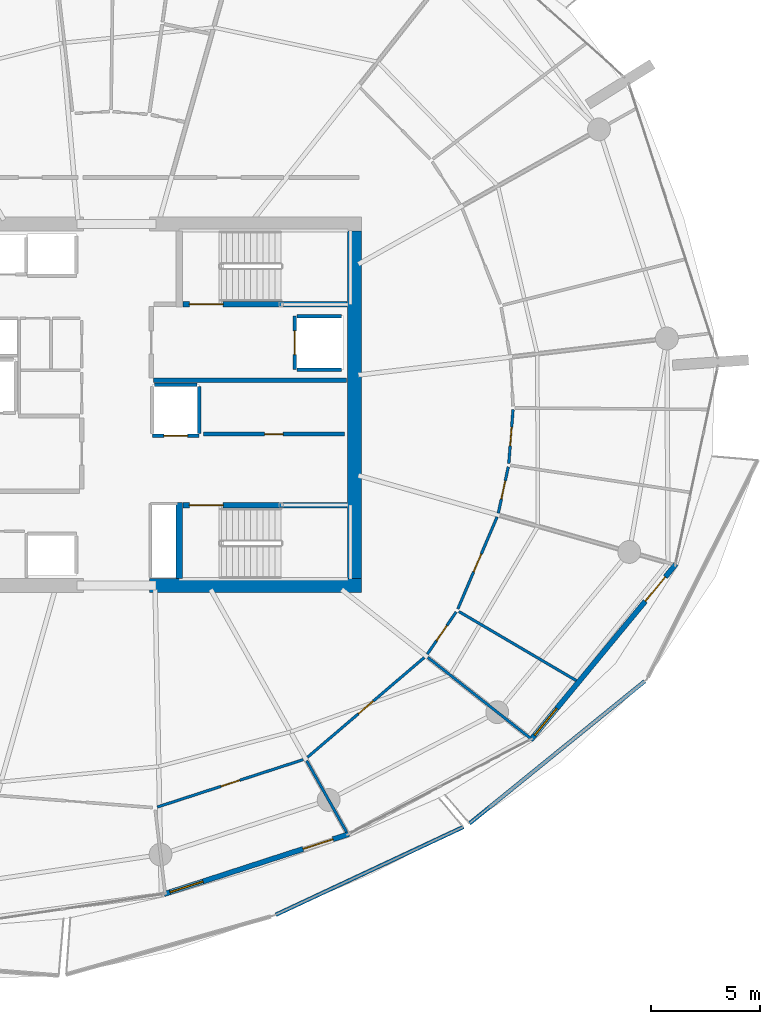
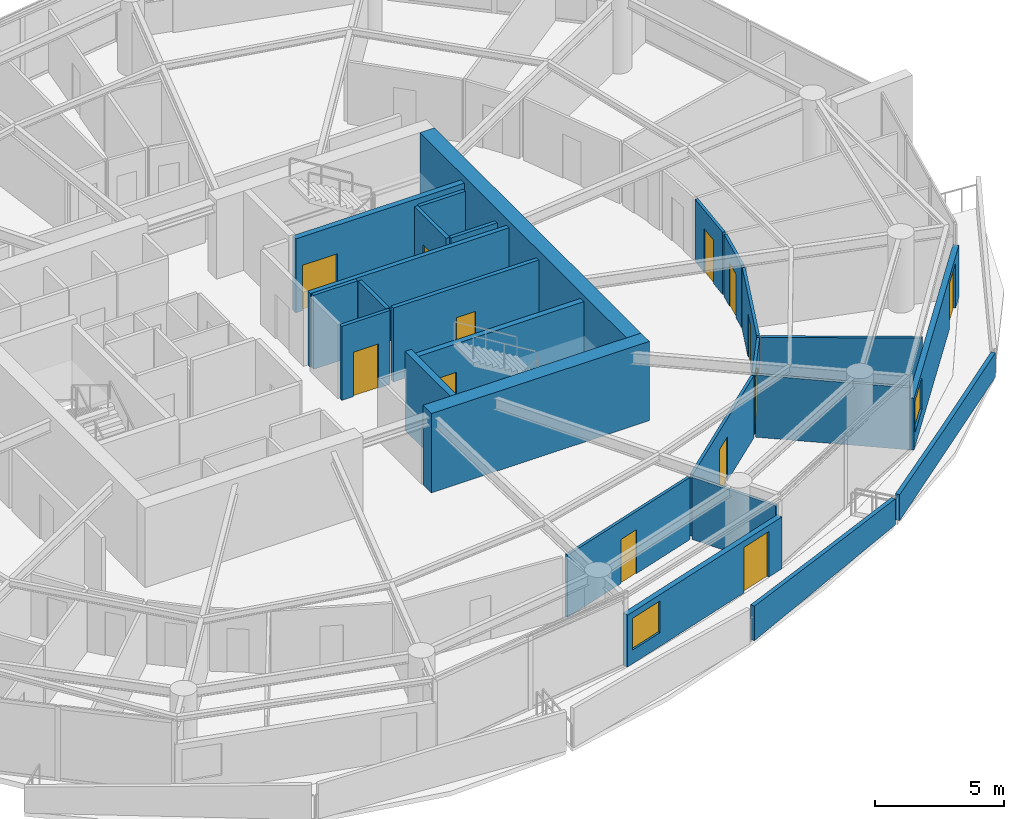
# One storey, part 13 of 20: 26 walls, 13 doors, 2 windows, 15 openings.
"""IFC4 building model written with IfcOpenShell, lengths in metres."""

from ifc_helpers import new_model, si_unit, direction, frame, frame_2d, origin, place, context, subcontext, project, spatial, polyline, rectangle, outline, extrude, material, layer, layer_set, type_object, element, fill, save


model = new_model("IFC4")

# Units and contexts
model_context = context("Model", 3, precision=1e-05, world=origin(), true_north=direction((0.0, 1.0)))
body_context = subcontext(model_context, "Body", "Model", "MODEL_VIEW")
ifc_project = project(units=[si_unit("LENGTHUNIT", "METRE"), si_unit("AREAUNIT", "SQUARE_METRE"), si_unit("VOLUMEUNIT", "CUBIC_METRE"), si_unit("PLANEANGLEUNIT", "RADIAN"), si_unit("MASSUNIT", "GRAM", prefix="KILO")], contexts=[model_context])

# Site, building, storey
site_placement = place(None, origin())
site = spatial("IfcSite", under=ifc_project, at=site_placement, CompositionType="ELEMENT")
building_placement = place(site_placement, origin())
building = spatial("IfcBuilding", under=site, at=building_placement, Name="Kazma Halo Residences", CompositionType="ELEMENT")
storey_placement = place(building_placement, frame((0.0, 0.0, 202.800048828125)))
storey = spatial("IfcBuildingStorey", under=building, at=storey_placement, Name="L51", CompositionType="ELEMENT", Elevation=202.800048828125)

# Walls
ifc_material_1 = material(Name="White Concrete C50/60 Balustrade", Category="concrete")
ifc_layer_1 = layer(ifc_material_1, 0.179931640625)
ifc_layer_set_1 = layer_set([ifc_layer_1], Name="White Concrete C50/60 Balustrade")
wall_type_1 = type_object("IfcWallType", Name="WL-BAL-WAVE-180", PredefinedType="PARAPET", material=ifc_layer_set_1)
wall_1_placement = place(storey_placement, frame((55.751708984375, 18.527587890625, 0.0), z_axis=(0.0, 0.0, 1.0), x_axis=(0.905654672332, 0.42401605451, 0.0)))
element("IfcWall", 1, at=wall_1_placement, inside=storey, type_object=wall_type_1, Name="L51 white wave balustrade wall SSE.2", PredefinedType="PARAPET", context=body_context, shape_type="SweptSolid", body=[
    extrude(outline(polyline([(0.0, 0.0), (9.537353515625, 0.0), (9.537109375, 1.23291015625), (4.7685546875, 1.41796875), (0.0, 1.6318359375), (0.0, 0.0)])), frame((0.0, 0.08984375, 0.0), z_axis=(0.0, -1.0, 0.0), x_axis=(1.0, 0.0, 0.0)), (0.0, 0.0, 1.0), 0.179931640625),
])
wall_2_placement = place(storey_placement, frame((64.663330078125, 22.7294921875, 0.0), z_axis=(0.0, 0.0, 1.0), x_axis=(0.776456761235, 0.630170530834, 0.0)))
element("IfcWall", 2, at=wall_2_placement, inside=storey, type_object=wall_type_1, Name="L51 white wave balustrade wall SE.1", PredefinedType="PARAPET", context=body_context, shape_type="SweptSolid", body=[
    extrude(outline(polyline([(0.0, 0.0), (10.38916015625, 0.0), (10.38916015625, 1.14794921875), (5.194580078125, 1.126953125), (0.0, 1.223876953125), (0.0, 0.0)])), frame((0.0, 0.08984375, 0.0), z_axis=(0.0, -1.0, 0.0), x_axis=(1.0, 0.0, 0.0)), (0.0, 0.0, 1.0), 0.179931640625),
])
ifc_material_2 = material(Name="Concrete C60/75", Category="concrete")
ifc_layer_2 = layer(ifc_material_2, 0.64990234375)
ifc_layer_set_2 = layer_set([ifc_layer_2], Name="Concrete C60/75")
wall_type_2 = type_object("IfcWallType", Name="WL-CORE-650", PredefinedType="SHEAR", material=ifc_layer_set_2)
wall_3_placement = place(storey_placement, frame((49.949951171875, 33.675048828125, 0.0), z_axis=(0.0, 0.0, 1.0), x_axis=(1.0, 0.0, 0.0)))
element("IfcWall", 3, at=wall_3_placement, inside=storey, type_object=wall_type_2, Name="L51 central core shear wall SE", PredefinedType="SHEAR", context=body_context, shape_type="SweptSolid", body=[
    extrude(rectangle(XDim=9.75, YDim=0.64990234375, at=frame_2d((4.875, 0.0))), origin(), (0.0, 0.0, 1.0), 3.75),
])
wall_4_placement = place(storey_placement, frame((59.375, 34.0, 0.0), z_axis=(0.0, 0.0, 1.0), x_axis=(0.0, 1.0, 0.0)))
element("IfcWall", 4, at=wall_4_placement, inside=storey, type_object=wall_type_2, Name="L51 central core shear wall E", PredefinedType="SHEAR", context=body_context, shape_type="SweptSolid", body=[
    extrude(rectangle(XDim=16.0, YDim=0.64990234375, at=frame_2d((8.0, 0.0))), origin(), (0.0, 0.0, 1.0), 3.75),
])
ifc_layer_3 = layer(ifc_material_2, 0.280029296875)
ifc_layer_set_3 = layer_set([ifc_layer_3], Name="Concrete C60/75")
wall_type_3 = type_object("IfcWallType", Name="WL-CORE-ST-280", PredefinedType="SHEAR", material=ifc_layer_set_3)
wall_5_placement = place(storey_placement, frame((51.31005859375, 34.0, 0.0), z_axis=(0.0, 0.0, 1.0), x_axis=(0.0, 1.0, 0.0)))
element("IfcWall", 5, at=wall_5_placement, inside=storey, type_object=wall_type_3, Name="L51 stairwell bearing wall ST03-W", PredefinedType="SHEAR", context=body_context, shape_type="SweptSolid", body=[
    extrude(rectangle(XDim=3.5, YDim=0.280029296875, at=frame_2d((1.75, 0.0))), origin(), (0.0, 0.0, 1.0), 3.75),
])

# Wall, openings, door, window
ifc_material_3 = material(Name="Insulated Pale-Metal Composite Wall")
ifc_layer_4 = layer(ifc_material_3, 0.239990234375)
ifc_layer_set_4 = layer_set([ifc_layer_4], Name="Insulated Pale-Metal Composite Wall")
wall_type_4 = type_object("IfcWallType", Name="WL-EXT-HOST-240", PredefinedType="SOLIDWALL", material=ifc_layer_set_4)
wall_6_placement = place(storey_placement, frame((50.61572265625, 19.481201171875, 0.0), z_axis=(0.0, 0.0, 1.0), x_axis=(0.951058543936, 0.309010753869, 0.0)))
wall_6 = element("IfcWall", 6, at=wall_6_placement, inside=storey, type_object=wall_type_4, Name="L51 exterior terrace-access wall B12", PredefinedType="SOLIDWALL", context=body_context, shape_type="SweptSolid", body=[
    extrude(rectangle(XDim=8.942138671875, YDim=0.239990234375, at=frame_2d((4.47119140625, 0.0))), origin(), (0.0, 0.0, 1.0), 2.449951171875),
])
opening_1_placement = place(wall_6_placement, frame((6.721923828125, 0.0, 0.0)))
opening_1 = element("IfcOpeningElement", 7, at=opening_1_placement, cuts=wall_6, Name="Opening DTR-1600", PredefinedType="OPENING", context=body_context, shape_type="SweptSolid", body=[
    extrude(rectangle(XDim=1.449951171875, YDim=2.14990234375, at=frame_2d((0.72509765625, 1.074951171875))), frame((0.0, 0.1298828125, 0.0), z_axis=(0.0, -1.0, 0.0), x_axis=(1.0, 0.0, 0.0)), (0.0, 0.0, 1.0), 0.260009765625),
])
opening_2_placement = place(wall_6_placement, frame((0.280029296875, 0.0, 0.64990234375)))
opening_2 = element("IfcOpeningElement", 8, at=opening_2_placement, cuts=wall_6, Name="Opening W-1800", PredefinedType="OPENING", context=body_context, shape_type="SweptSolid", body=[
    extrude(rectangle(XDim=1.60009765625, YDim=1.5, at=frame_2d((0.800048828125, 0.75))), frame((0.0, 0.1298828125, 0.0), z_axis=(0.0, -1.0, 0.0), x_axis=(1.0, 0.0, 0.0)), (0.0, 0.0, 1.0), 0.260009765625),
])
ifc_material_4 = material(Name="Aluminium AW-6063 T6 Double-Glazed Terrace Door", Category="aluminium")
door_type_1 = type_object("IfcDoorType", Name="DR-EXT-TERR-1600", OperationType="NOTDEFINED", PredefinedType="DOOR", material=ifc_material_4)
door_1_placement = place(opening_1_placement, origin())
door_1 = element("IfcDoor", 9, at=door_1_placement, inside=storey, type_object=door_type_1, Name="L51 B12 balcony terrace door", OperationType="DOUBLE_DOOR_SLIDING", OverallHeight=2.14990234375, OverallWidth=1.449951171875, PredefinedType="DOOR", context=body_context, shape_type="SweptSolid", body=[
    extrude(rectangle(XDim=1.449951171875, YDim=2.14990234375, at=frame_2d((0.72509765625, 1.074951171875))), frame((0.0, 0.02490234375, 0.0), z_axis=(0.0, -1.0, 0.0), x_axis=(1.0, 0.0, 0.0)), (0.0, 0.0, 1.0), 0.050048828125),
])
fill(opening_1, door_1)
ifc_material_5 = material(Name="Clear Triple-Silver Low-E Glass in Aluminium AW-6063 T6 Frame", Category="aluminium")
window_type = type_object("IfcWindowType", Name="WIN-RES-1800", PartitioningType="DOUBLE_PANEL_VERTICAL", PredefinedType="WINDOW", material=ifc_material_5)
window_1_placement = place(opening_2_placement, origin())
window_1 = element("IfcWindow", 10, at=window_1_placement, inside=storey, type_object=window_type, Name="L51 B12 apartment window", OverallHeight=1.5, OverallWidth=1.60009765625, PartitioningType="SINGLE_PANEL", PredefinedType="WINDOW", context=body_context, shape_type="SweptSolid", body=[
    extrude(rectangle(XDim=1.60009765625, YDim=1.5, at=frame_2d((0.800048828125, 0.75))), frame((0.0, 0.030029296875, 0.0), z_axis=(0.0, -1.0, 0.0), x_axis=(1.0, 0.0, 0.0)), (0.0, 0.0, 1.0), 0.06005859375),
])
fill(opening_2, window_1)

wall_7_placement = place(storey_placement, frame((67.485107421875, 26.57568359375, 0.0), z_axis=(0.0, 0.0, 1.0), x_axis=(0.636759394418, 0.771062561418, 0.0)))
wall_7 = element("IfcWall", 11, at=wall_7_placement, inside=storey, type_object=wall_type_4, Name="L51 exterior terrace-access wall B14", PredefinedType="SOLIDWALL", context=body_context, shape_type="SweptSolid", body=[
    extrude(rectangle(XDim=10.494384765625, YDim=0.239990234375, at=frame_2d((5.2470703125, 0.0))), origin(), (0.0, 0.0, 1.0), 2.449951171875),
])
opening_3_placement = place(wall_7_placement, frame((8.2744140625, 0.0, 0.0)))
opening_3 = element("IfcOpeningElement", 12, at=opening_3_placement, cuts=wall_7, Name="Opening DTR-1600", PredefinedType="OPENING", context=body_context, shape_type="SweptSolid", body=[
    extrude(rectangle(XDim=1.449951171875, YDim=2.14990234375, at=frame_2d((0.72509765625, 1.074951171875))), frame((0.0, 0.1298828125, 0.0), z_axis=(0.0, -1.0, 0.0), x_axis=(1.0, 0.0, 0.0)), (0.0, 0.0, 1.0), 0.260009765625),
])
opening_4_placement = place(wall_7_placement, frame((0.280029296875, 0.0, 0.64990234375)))
opening_4 = element("IfcOpeningElement", 13, at=opening_4_placement, cuts=wall_7, Name="Opening W-1800", PredefinedType="OPENING", context=body_context, shape_type="SweptSolid", body=[
    extrude(rectangle(XDim=1.60009765625, YDim=1.5, at=frame_2d((0.800048828125, 0.75))), frame((0.0, 0.1298828125, 0.0), z_axis=(0.0, -1.0, 0.0), x_axis=(1.0, 0.0, 0.0)), (0.0, 0.0, 1.0), 0.260009765625),
])
door_2_placement = place(opening_3_placement, origin())
door_2 = element("IfcDoor", 14, at=door_2_placement, inside=storey, type_object=door_type_1, Name="L51 B14 balcony terrace door", OperationType="DOUBLE_DOOR_SLIDING", OverallHeight=2.14990234375, OverallWidth=1.449951171875, PredefinedType="DOOR", context=body_context, shape_type="SweptSolid", body=[
    extrude(rectangle(XDim=1.449951171875, YDim=2.14990234375, at=frame_2d((0.72509765625, 1.074951171875))), frame((0.0, 0.02490234375, 0.0), z_axis=(0.0, -1.0, 0.0), x_axis=(1.0, 0.0, 0.0)), (0.0, 0.0, 1.0), 0.050048828125),
])
fill(opening_3, door_2)
window_2_placement = place(opening_4_placement, origin())
window_2 = element("IfcWindow", 15, at=window_2_placement, inside=storey, type_object=window_type, Name="L51 B14 apartment window", OverallHeight=1.5, OverallWidth=1.60009765625, PartitioningType="SINGLE_PANEL", PredefinedType="WINDOW", context=body_context, shape_type="SweptSolid", body=[
    extrude(rectangle(XDim=1.60009765625, YDim=1.5, at=frame_2d((0.800048828125, 0.75))), frame((0.0, 0.030029296875, 0.0), z_axis=(0.0, -1.0, 0.0), x_axis=(1.0, 0.0, 0.0)), (0.0, 0.0, 1.0), 0.06005859375),
])
fill(opening_4, window_2)

# Wall, opening, door
ifc_material_6 = material(Name="Fire-Rated Blockwork Masonry", Category="masonry")
ifc_layer_5 = layer(ifc_material_6, 0.199951171875)
ifc_layer_set_5 = layer_set([ifc_layer_5], Name="Fire-Rated Blockwork Masonry")
wall_type_5 = type_object("IfcWallType", Name="WL-FLB-200", PredefinedType="PARTITIONING", material=ifc_layer_set_5)
wall_8_placement = place(storey_placement, frame((56.6201171875, 46.080078125, 0.0), z_axis=(0.0, 0.0, 1.0), x_axis=(0.0, -1.0, 0.0)))
wall_8 = element("IfcWall", 16, at=wall_8_placement, inside=storey, type_object=wall_type_5, Name="L51 lift shaft FL-02 front wall", PredefinedType="PARTITIONING", context=body_context, shape_type="SweptSolid", body=[
    extrude(rectangle(XDim=2.4599609375, YDim=0.159912109375, at=frame_2d((1.22998046875, 0.0))), origin(), (0.0, 0.0, 1.0), 3.5),
])
opening_5_placement = place(wall_8_placement, frame((0.679931640625, 0.0, 0.0)))
opening_5 = element("IfcOpeningElement", 17, at=opening_5_placement, cuts=wall_8, Name="Opening LD-FL-02", PredefinedType="OPENING", context=body_context, shape_type="SweptSolid", body=[
    extrude(rectangle(XDim=1.10009765625, YDim=2.10009765625, at=frame_2d((0.550048828125, 1.050048828125))), frame((0.0, 0.08984375, 0.0), z_axis=(0.0, -1.0, 0.0), x_axis=(1.0, 0.0, 0.0)), (0.0, 0.0, 1.0), 0.179931640625),
])
ifc_material_7 = material(Name="Stainless Steel Fire-Rated", Category="steel")
door_type_2 = type_object("IfcDoorType", Name="DR-LIFT-SLD-1100", OperationType="DOUBLE_DOOR_SLIDING", PredefinedType="DOOR", material=ifc_material_7)
door_3_placement = place(opening_5_placement, origin())
door_3 = element("IfcDoor", 18, at=door_3_placement, inside=storey, type_object=door_type_2, Name="L51 lift FL-02 sliding landing door", OperationType="DOUBLE_DOOR_SLIDING", OverallHeight=2.10009765625, OverallWidth=1.10009765625, PredefinedType="DOOR", context=body_context, shape_type="SweptSolid", body=[
    extrude(rectangle(XDim=1.10009765625, YDim=2.10009765625, at=frame_2d((0.550048828125, 1.050048828125))), frame((0.0, 0.02490234375, 0.0), z_axis=(0.0, -1.0, 0.0), x_axis=(1.0, 0.0, 0.0)), (0.0, 0.0, 1.0), 0.050048828125),
])
fill(opening_5, door_3)

# Walls
for number, where, z_axis, x_axis, name in (
    (19, (56.719970703125, 46.080078125, 0.0), (0.0, 0.0, 1.0), (1.0, 0.0, 0.0), "L51 lift shaft FL-02 side wall N"),
    (20, (56.719970703125, 43.6201171875, 0.0), (0.0, 0.0, 1.0), (1.0, 0.0, 0.0), "L51 lift shaft FL-02 side wall S"),
):
    element("IfcWall", number, at=place(storey_placement, frame(where, z_axis=z_axis, x_axis=x_axis)), inside=storey, type_object=wall_type_5, Name=name, PredefinedType="PARTITIONING", context=body_context, shape_type="SweptSolid", body=[
        extrude(rectangle(XDim=2.06005859375, YDim=0.159912109375, at=frame_2d((1.030029296875, 0.0))), origin(), (0.0, 0.0, 1.0), 3.5),
    ])

# Wall, opening, door
wall_9_placement = place(storey_placement, frame((52.22998046875, 40.570068359375, 0.0), z_axis=(0.0, 0.0, 1.0), x_axis=(-1.0, 0.0, 0.0)))
wall_9 = element("IfcWall", 21, at=wall_9_placement, inside=storey, type_object=wall_type_5, Name="L51 lift shaft SV-01 front wall", PredefinedType="PARTITIONING", context=body_context, shape_type="SweptSolid", body=[
    extrude(rectangle(XDim=2.159912109375, YDim=0.159912109375, at=frame_2d((1.080078125, 0.0))), origin(), (0.0, 0.0, 1.0), 3.5),
])
opening_6_placement = place(wall_9_placement, frame((0.530029296875, 0.0, 0.0)))
opening_6 = element("IfcOpeningElement", 22, at=opening_6_placement, cuts=wall_9, Name="Opening LD-SV-01", PredefinedType="OPENING", context=body_context, shape_type="SweptSolid", body=[
    extrude(rectangle(XDim=1.10009765625, YDim=2.10009765625, at=frame_2d((0.550048828125, 1.050048828125))), frame((0.0, 0.08984375, 0.0), z_axis=(0.0, -1.0, 0.0), x_axis=(1.0, 0.0, 0.0)), (0.0, 0.0, 1.0), 0.179931640625),
])
door_4_placement = place(opening_6_placement, origin())
door_4 = element("IfcDoor", 23, at=door_4_placement, inside=storey, type_object=door_type_2, Name="L51 lift SV-01 sliding landing door", OperationType="DOUBLE_DOOR_SLIDING", OverallHeight=2.10009765625, OverallWidth=1.10009765625, PredefinedType="DOOR", context=body_context, shape_type="SweptSolid", body=[
    extrude(rectangle(XDim=1.10009765625, YDim=2.10009765625, at=frame_2d((0.550048828125, 1.050048828125))), frame((0.0, 0.02490234375, 0.0), z_axis=(0.0, -1.0, 0.0), x_axis=(1.0, 0.0, 0.0)), (0.0, 0.0, 1.0), 0.050048828125),
])
fill(opening_6, door_4)

# Walls
wall_10_placement = place(storey_placement, frame((52.22998046875, 40.669921875, 0.0), z_axis=(0.0, 0.0, 1.0), x_axis=(0.0, 1.0, 0.0)))
element("IfcWall", 24, at=wall_10_placement, inside=storey, type_object=wall_type_5, Name="L51 lift shaft SV-01 side wall E", PredefinedType="PARTITIONING", context=body_context, shape_type="SweptSolid", body=[
    extrude(rectangle(XDim=2.16015625, YDim=0.159912109375, at=frame_2d((1.080078125, 0.0))), origin(), (0.0, 0.0, 1.0), 3.5),
])
wall_11_placement = place(storey_placement, frame((50.169921875, 42.929931640625, 0.0), z_axis=(0.0, 0.0, 1.0), x_axis=(1.0, 0.0, 0.0)))
element("IfcWall", 25, at=wall_11_placement, inside=storey, type_object=wall_type_5, Name="L51 lift shaft SV-01 side wall N", PredefinedType="PARTITIONING", context=body_context, shape_type="SweptSolid", body=[
    extrude(rectangle(XDim=1.9599609375, YDim=0.159912109375, at=frame_2d((0.97998046875, 0.0))), origin(), (0.0, 0.0, 1.0), 3.5),
])

# Wall, opening, door
wall_12_placement = place(storey_placement, frame((52.419921875, 40.64990234375, 0.0), z_axis=(0.0, 0.0, 1.0), x_axis=(1.0, 0.0, 0.0)))
wall_12 = element("IfcWall", 26, at=wall_12_placement, inside=storey, type_object=wall_type_5, Name="L51 core east reserve wall", PredefinedType="PARTITIONING", context=body_context, shape_type="SweptSolid", body=[
    extrude(rectangle(XDim=6.5, YDim=0.179931640625, at=frame_2d((3.25, 0.0))), origin(), (0.0, 0.0, 1.0), 3.5),
])
opening_7_placement = place(wall_12_placement, frame((2.824951171875, 0.0, 0.0)))
opening_7 = element("IfcOpeningElement", 27, at=opening_7_placement, cuts=wall_12, Name="Opening DS-850", PredefinedType="OPENING", context=body_context, shape_type="SweptSolid", body=[
    extrude(rectangle(XDim=0.85009765625, YDim=2.06005859375, at=frame_2d((0.425048828125, 1.030029296875))), frame((0.0, 0.099853515625, 0.0), z_axis=(0.0, -1.0, 0.0), x_axis=(1.0, 0.0, 0.0)), (0.0, 0.0, 1.0), 0.199951171875),
])
ifc_material_8 = material(Name="Painted Steel Access Leaf", Category="steel")
door_type_3 = type_object("IfcDoorType", Name="DR-SVC-850", OperationType="NOTDEFINED", PredefinedType="DOOR", material=ifc_material_8)
door_5_placement = place(opening_7_placement, origin())
door_5 = element("IfcDoor", 28, at=door_5_placement, inside=storey, type_object=door_type_3, Name="L51 core east reserve door", OperationType="SINGLE_SWING_RIGHT", OverallHeight=2.06005859375, OverallWidth=0.85009765625, PredefinedType="DOOR", context=body_context, shape_type="SweptSolid", body=[
    extrude(rectangle(XDim=0.85009765625, YDim=2.06005859375, at=frame_2d((0.425048828125, 1.030029296875))), frame((0.0, 0.02490234375, 0.0), z_axis=(0.0, -1.0, 0.0), x_axis=(1.0, 0.0, 0.0)), (0.0, 0.0, 1.0), 0.050048828125),
])
fill(opening_7, door_5)

# Wall
wall_13_placement = place(storey_placement, frame((50.1201171875, 43.1201171875, 0.0), z_axis=(0.0, 0.0, 1.0), x_axis=(1.0, 0.0, 0.0)))
element("IfcWall", 29, at=wall_13_placement, inside=storey, type_object=wall_type_5, Name="L51 east firefighting lobby south smoke wall", PredefinedType="PARTITIONING", context=body_context, shape_type="SweptSolid", body=[
    extrude(rectangle(XDim=8.8798828125, YDim=0.199951171875, at=frame_2d((4.43994140625, 0.0))), origin(), (0.0, 0.0, 1.0), 3.5),
])

# Wall, opening, door
ifc_material_9 = material(Name="Gypsum Plasterboard Partition")
ifc_layer_6 = layer(ifc_material_9, 0.125)
ifc_layer_set_6 = layer_set([ifc_layer_6], Name="Gypsum Plasterboard Partition")
wall_type_6 = type_object("IfcWallType", Name="WL-PART-125", PredefinedType="PARTITIONING", material=ifc_layer_set_6)
wall_14_placement = place(storey_placement, frame((50.2998046875, 23.486572265625, 0.0), z_axis=(0.0, 0.0, 1.0), x_axis=(0.9510635117, 0.308995463902, 0.0)))
wall_14 = element("IfcWall", 30, at=wall_14_placement, inside=storey, type_object=wall_type_6, Name="L51 Apartment 4 West Master Bedroom gallery wall", PredefinedType="PARTITIONING", context=body_context, shape_type="SweptSolid", body=[
    extrude(rectangle(XDim=7.067626953125, YDim=0.125, at=frame_2d((3.53369140625, 0.0))), origin(), (0.0, 0.0, 1.0), 2.93994140625),
])
opening_8_placement = place(wall_14_placement, frame((3.083740234375, 0.0, 0.0)))
opening_8 = element("IfcOpeningElement", 31, at=opening_8_placement, cuts=wall_14, Name="Opening DI-950", PredefinedType="OPENING", context=body_context, shape_type="SweptSolid", body=[
    extrude(rectangle(XDim=0.89990234375, YDim=2.080078125, at=frame_2d((0.449951171875, 1.0400390625))), frame((0.0, 0.072509765625, 0.0), z_axis=(0.0, -1.0, 0.0), x_axis=(1.0, 0.0, 0.0)), (0.0, 0.0, 1.0), 0.14501953125),
])
ifc_material_10 = material(Name="Timber Veneer Flush Leaf", Category="wood")
door_type_4 = type_object("IfcDoorType", Name="DR-INT-950", OperationType="NOTDEFINED", PredefinedType="DOOR", material=ifc_material_10)
door_6_placement = place(opening_8_placement, origin())
door_6 = element("IfcDoor", 32, at=door_6_placement, inside=storey, type_object=door_type_4, Name="L51 Apartment 4 West Master Bedroom door", OperationType="SINGLE_SWING_LEFT", OverallHeight=2.080078125, OverallWidth=0.89990234375, PredefinedType="DOOR", context=body_context, shape_type="SweptSolid", body=[
    extrude(rectangle(XDim=0.89990234375, YDim=2.080078125, at=frame_2d((0.449951171875, 1.0400390625))), frame((0.0, 0.02490234375, 0.0), z_axis=(0.0, -1.0, 0.0), x_axis=(1.0, 0.0, 0.0)), (0.0, 0.0, 1.0), 0.050048828125),
])
fill(opening_8, door_6)

# Wall
wall_15_placement = place(storey_placement, frame((57.1748046875, 25.6171875, 0.0), z_axis=(0.0, 0.0, 1.0), x_axis=(0.488607324901, -0.872503800595, 0.0)))
element("IfcWall", 33, at=wall_15_placement, inside=storey, type_object=wall_type_6, Name="L51 Apartment 4 radial partition 12", PredefinedType="PARTITIONING", context=body_context, shape_type="SweptSolid", body=[
    extrude(rectangle(XDim=3.758544921875, YDim=0.125, at=frame_2d((1.87939453125, 0.0))), origin(), (0.0, 0.0, 1.0), 2.93994140625),
])

# Wall, opening, door
wall_16_placement = place(storey_placement, frame((57.209716796875, 25.77587890625, 0.0), z_axis=(0.0, 0.0, 1.0), x_axis=(0.760406375863, 0.649447567973, 0.0)))
wall_16 = element("IfcWall", 34, at=wall_16_placement, inside=storey, type_object=wall_type_6, Name="L51 Apartment 4 North Formal Dining Room gallery wall", PredefinedType="PARTITIONING", context=body_context, shape_type="SweptSolid", body=[
    extrude(rectangle(XDim=7.0673828125, YDim=0.125, at=frame_2d((3.53369140625, 0.0))), origin(), (0.0, 0.0, 1.0), 2.93994140625),
])
opening_9_placement = place(wall_16_placement, frame((3.083740234375, 0.0, 0.0)))
opening_9 = element("IfcOpeningElement", 35, at=opening_9_placement, cuts=wall_16, Name="Opening DI-950", PredefinedType="OPENING", context=body_context, shape_type="SweptSolid", body=[
    extrude(rectangle(XDim=0.89990234375, YDim=2.080078125, at=frame_2d((0.449951171875, 1.0400390625))), frame((0.0, 0.072509765625, 0.0), z_axis=(0.0, -1.0, 0.0), x_axis=(1.0, 0.0, 0.0)), (0.0, 0.0, 1.0), 0.14501953125),
])
door_7_placement = place(opening_9_placement, origin())
door_7 = element("IfcDoor", 36, at=door_7_placement, inside=storey, type_object=door_type_4, Name="L51 Apartment 4 North Formal Dining Room door", OperationType="SINGLE_SWING_RIGHT", OverallHeight=2.080078125, OverallWidth=0.89990234375, PredefinedType="DOOR", context=body_context, shape_type="SweptSolid", body=[
    extrude(rectangle(XDim=0.89990234375, YDim=2.080078125, at=frame_2d((0.449951171875, 1.0400390625))), frame((0.0, 0.02490234375, 0.0), z_axis=(0.0, -1.0, 0.0), x_axis=(1.0, 0.0, 0.0)), (0.0, 0.0, 1.0), 0.050048828125),
])
fill(opening_9, door_7)

# Walls
wall_17_placement = place(storey_placement, frame((62.745849609375, 30.375244140625, 0.0), z_axis=(0.0, 0.0, 1.0), x_axis=(0.785328774221, -0.619078925809, 0.0)))
element("IfcWall", 37, at=wall_17_placement, inside=storey, type_object=wall_type_6, Name="L51 Apartment 4 radial partition 13", PredefinedType="PARTITIONING", context=body_context, shape_type="SweptSolid", body=[
    extrude(rectangle(XDim=6.05029296875, YDim=0.125, at=frame_2d((3.025146484375, 0.0))), origin(), (0.0, 0.0, 1.0), 2.93994140625),
])
wall_18_placement = place(storey_placement, frame((64.176025390625, 32.48486328125, 0.0), z_axis=(0.0, 0.0, 1.0), x_axis=(0.861934215158, -0.507020126563, 0.0)))
element("IfcWall", 38, at=wall_18_placement, inside=storey, type_object=wall_type_6, Name="L51 Apartment 4 mid-bay wall 13", PredefinedType="PARTITIONING", context=body_context, shape_type="SweptSolid", body=[
    extrude(rectangle(XDim=6.269287109375, YDim=0.125, at=frame_2d((3.134765625, 0.0))), origin(), (0.0, 0.0, 1.0), 2.93994140625),
])

# Wall, opening, door
wall_19_placement = place(storey_placement, frame((62.723876953125, 30.519775390625, 0.0), z_axis=(0.0, 0.0, 1.0), x_axis=(0.564301181705, 0.825569001554, 0.0)))
wall_19 = element("IfcWall", 39, at=wall_19_placement, inside=storey, type_object=wall_type_6, Name="L51 Apartment 4 South Dressing Wardrobe hall wall", PredefinedType="PARTITIONING", context=body_context, shape_type="SweptSolid", body=[
    extrude(rectangle(XDim=2.355712890625, YDim=0.125, at=frame_2d((1.177734375, 0.0))), origin(), (0.0, 0.0, 1.0), 2.93994140625),
])
opening_10_placement = place(wall_19_placement, frame((0.7529296875, 0.0, 0.0)))
opening_10 = element("IfcOpeningElement", 40, at=opening_10_placement, cuts=wall_19, Name="Opening DB-900", PredefinedType="OPENING", context=body_context, shape_type="SweptSolid", body=[
    extrude(rectangle(XDim=0.85009765625, YDim=2.06005859375, at=frame_2d((0.425048828125, 1.030029296875))), frame((0.0, 0.072509765625, 0.0), z_axis=(0.0, -1.0, 0.0), x_axis=(1.0, 0.0, 0.0)), (0.0, 0.0, 1.0), 0.14501953125),
])
ifc_material_11 = material(Name="Moisture-Sealed Timber Leaf", Category="wood")
door_type_5 = type_object("IfcDoorType", Name="DR-BTH-900", OperationType="NOTDEFINED", PredefinedType="DOOR", material=ifc_material_11)
door_8_placement = place(opening_10_placement, origin())
door_8 = element("IfcDoor", 41, at=door_8_placement, inside=storey, type_object=door_type_5, Name="L51 Apartment 4 South Dressing Wardrobe door", OperationType="SINGLE_SWING_LEFT", OverallHeight=2.06005859375, OverallWidth=0.85009765625, PredefinedType="DOOR", context=body_context, shape_type="SweptSolid", body=[
    extrude(rectangle(XDim=0.85009765625, YDim=2.06005859375, at=frame_2d((0.425048828125, 1.030029296875))), frame((0.0, 0.02490234375, 0.0), z_axis=(0.0, -1.0, 0.0), x_axis=(1.0, 0.0, 0.0)), (0.0, 0.0, 1.0), 0.050048828125),
])
fill(opening_10, door_8)

wall_20_placement = place(storey_placement, frame((64.1298828125, 32.60400390625, 0.0), z_axis=(0.0, 0.0, 1.0), x_axis=(0.392433899516, 0.919780209893, 0.0)))
wall_20 = element("IfcWall", 42, at=wall_20_placement, inside=storey, type_object=wall_type_6, Name="L51 Apartment 4 Inner Master Bedroom hall wall", PredefinedType="PARTITIONING", context=body_context, shape_type="SweptSolid", body=[
    extrude(rectangle(XDim=4.603759765625, YDim=0.125, at=frame_2d((2.3017578125, 0.0))), origin(), (0.0, 0.0, 1.0), 2.93994140625),
])
opening_11_placement = place(wall_20_placement, frame((1.851806640625, 0.0, 0.0)))
opening_11 = element("IfcOpeningElement", 43, at=opening_11_placement, cuts=wall_20, Name="Opening DI-950", PredefinedType="OPENING", context=body_context, shape_type="SweptSolid", body=[
    extrude(rectangle(XDim=0.89990234375, YDim=2.080078125, at=frame_2d((0.449951171875, 1.0400390625))), frame((0.0, 0.072509765625, 0.0), z_axis=(0.0, -1.0, 0.0), x_axis=(1.0, 0.0, 0.0)), (0.0, 0.0, 1.0), 0.14501953125),
])
door_9_placement = place(opening_11_placement, origin())
door_9 = element("IfcDoor", 44, at=door_9_placement, inside=storey, type_object=door_type_4, Name="L51 Apartment 4 Inner Master Bedroom door", OperationType="SINGLE_SWING_RIGHT", OverallHeight=2.080078125, OverallWidth=0.89990234375, PredefinedType="DOOR", context=body_context, shape_type="SweptSolid", body=[
    extrude(rectangle(XDim=0.89990234375, YDim=2.080078125, at=frame_2d((0.449951171875, 1.0400390625))), frame((0.0, 0.02490234375, 0.0), z_axis=(0.0, -1.0, 0.0), x_axis=(1.0, 0.0, 0.0)), (0.0, 0.0, 1.0), 0.050048828125),
])
fill(opening_11, door_9)

wall_21_placement = place(storey_placement, frame((65.99267578125, 37.008544921875, 0.0), z_axis=(0.0, 0.0, 1.0), x_axis=(0.210467381842, 0.977600880309, 0.0)))
wall_21 = element("IfcWall", 45, at=wall_21_placement, inside=storey, type_object=wall_type_6, Name="L51 Apartment 4 Outer Bedroom hall wall", PredefinedType="PARTITIONING", context=body_context, shape_type="SweptSolid", body=[
    extrude(rectangle(XDim=2.185546875, YDim=0.125, at=frame_2d((1.0927734375, 0.0))), origin(), (0.0, 0.0, 1.0), 2.93994140625),
])
opening_12_placement = place(wall_21_placement, frame((0.667724609375, 0.0, 0.0)))
opening_12 = element("IfcOpeningElement", 46, at=opening_12_placement, cuts=wall_21, Name="Opening DB-900", PredefinedType="OPENING", context=body_context, shape_type="SweptSolid", body=[
    extrude(rectangle(XDim=0.85009765625, YDim=2.06005859375, at=frame_2d((0.425048828125, 1.030029296875))), frame((0.0, 0.072509765625, 0.0), z_axis=(0.0, -1.0, 0.0), x_axis=(1.0, 0.0, 0.0)), (0.0, 0.0, 1.0), 0.14501953125),
])
door_10_placement = place(opening_12_placement, origin())
door_10 = element("IfcDoor", 47, at=door_10_placement, inside=storey, type_object=door_type_5, Name="L51 Apartment 4 Outer Bedroom door", OperationType="SINGLE_SWING_LEFT", OverallHeight=2.06005859375, OverallWidth=0.85009765625, PredefinedType="DOOR", context=body_context, shape_type="SweptSolid", body=[
    extrude(rectangle(XDim=0.85009765625, YDim=2.06005859375, at=frame_2d((0.425048828125, 1.030029296875))), frame((0.0, 0.02490234375, 0.0), z_axis=(0.0, -1.0, 0.0), x_axis=(1.0, 0.0, 0.0)), (0.0, 0.0, 1.0), 0.050048828125),
])
fill(opening_12, door_10)

wall_22_placement = place(storey_placement, frame((66.4755859375, 39.302978515625, 0.0), z_axis=(0.0, 0.0, 1.0), x_axis=(0.078519549514, 0.996912574073, 0.0)))
wall_22 = element("IfcWall", 48, at=wall_22_placement, inside=storey, type_object=wall_type_6, Name="L51 Apartment 4 Corner Dressing Wardrobe hall wall", PredefinedType="PARTITIONING", context=body_context, shape_type="SweptSolid", body=[
    extrude(rectangle(XDim=2.47802734375, YDim=0.125, at=frame_2d((1.239013671875, 0.0))), origin(), (0.0, 0.0, 1.0), 2.93994140625),
])
opening_13_placement = place(wall_22_placement, frame((0.814208984375, 0.0, 0.0)))
opening_13 = element("IfcOpeningElement", 49, at=opening_13_placement, cuts=wall_22, Name="Opening DB-900", PredefinedType="OPENING", context=body_context, shape_type="SweptSolid", body=[
    extrude(rectangle(XDim=0.85009765625, YDim=2.06005859375, at=frame_2d((0.425048828125, 1.030029296875))), frame((0.0, 0.072509765625, 0.0), z_axis=(0.0, -1.0, 0.0), x_axis=(1.0, 0.0, 0.0)), (0.0, 0.0, 1.0), 0.14501953125),
])
door_11_placement = place(opening_13_placement, origin())
door_11 = element("IfcDoor", 50, at=door_11_placement, inside=storey, type_object=door_type_5, Name="L51 Apartment 4 Corner Dressing Wardrobe door", OperationType="SINGLE_SWING_RIGHT", OverallHeight=2.06005859375, OverallWidth=0.85009765625, PredefinedType="DOOR", context=body_context, shape_type="SweptSolid", body=[
    extrude(rectangle(XDim=0.85009765625, YDim=2.06005859375, at=frame_2d((0.425048828125, 1.030029296875))), frame((0.0, 0.02490234375, 0.0), z_axis=(0.0, -1.0, 0.0), x_axis=(1.0, 0.0, 0.0)), (0.0, 0.0, 1.0), 0.050048828125),
])
fill(opening_13, door_11)

ifc_material_12 = material(Name="Concrete C50/60", Category="concrete")
ifc_layer_7 = layer(ifc_material_12, 0.25)
ifc_layer_set_7 = layer_set([ifc_layer_7], Name="Concrete C50/60")
wall_type_7 = type_object("IfcWallType", Name="WL-SHF-250", PredefinedType="SOLIDWALL", material=ifc_layer_set_7)
wall_23_placement = place(storey_placement, frame((51.47998046875, 46.6201171875, 0.0), z_axis=(0.0, 0.0, 1.0), x_axis=(1.0, 0.0, 0.0)))
wall_23 = element("IfcWall", 51, at=wall_23_placement, inside=storey, type_object=wall_type_7, Name="L51 exit stair ST-02 enclosure wall", PredefinedType="SOLIDWALL", context=body_context, shape_type="SweptSolid", body=[
    extrude(rectangle(XDim=7.5400390625, YDim=0.25, at=frame_2d((3.77001953125, 0.0))), origin(), (0.0, 0.0, 1.0), 3.5),
])
opening_14_placement = place(wall_23_placement, frame((0.300048828125, 0.0, 0.0)))
opening_14 = element("IfcOpeningElement", 52, at=opening_14_placement, cuts=wall_23, Name="Opening D-ST2", PredefinedType="OPENING", context=body_context, shape_type="SweptSolid", body=[
    extrude(rectangle(XDim=1.550048828125, YDim=2.14990234375, at=frame_2d((0.77490234375, 1.074951171875))), frame((0.0, 0.135009765625, 0.0), z_axis=(0.0, -1.0, 0.0), x_axis=(1.0, 0.0, 0.0)), (0.0, 0.0, 1.0), 0.27001953125),
])
ifc_material_13 = material(Name="Fire-Rated Double Steel Leaf", Category="steel")
door_type_6 = type_object("IfcDoorType", Name="DR-FD90-1550", OperationType="NOTDEFINED", PredefinedType="DOOR", material=ifc_material_13)
door_12_placement = place(opening_14_placement, origin())
door_12 = element("IfcDoor", 53, at=door_12_placement, inside=storey, type_object=door_type_6, Name="L51 exit stair ST-02 fire door", OperationType="DOUBLE_DOOR_SINGLE_SWING", OverallHeight=2.14990234375, OverallWidth=1.550048828125, PredefinedType="DOOR", context=body_context, shape_type="SweptSolid", body=[
    extrude(rectangle(XDim=1.550048828125, YDim=2.14990234375, at=frame_2d((0.77490234375, 1.074951171875))), frame((0.0, 0.02490234375, 0.0), z_axis=(0.0, -1.0, 0.0), x_axis=(1.0, 0.0, 0.0)), (0.0, 0.0, 1.0), 0.050048828125),
])
fill(opening_14, door_12)

wall_24_placement = place(storey_placement, frame((51.47998046875, 37.3798828125, 0.0), z_axis=(0.0, 0.0, 1.0), x_axis=(1.0, 0.0, 0.0)))
wall_24 = element("IfcWall", 54, at=wall_24_placement, inside=storey, type_object=wall_type_7, Name="L51 exit stair ST-03 enclosure wall", PredefinedType="SOLIDWALL", context=body_context, shape_type="SweptSolid", body=[
    extrude(rectangle(XDim=7.5400390625, YDim=0.25, at=frame_2d((3.77001953125, 0.0))), origin(), (0.0, 0.0, 1.0), 3.5),
])
opening_15_placement = place(wall_24_placement, frame((0.300048828125, 0.0, 0.0)))
opening_15 = element("IfcOpeningElement", 55, at=opening_15_placement, cuts=wall_24, Name="Opening D-ST3", PredefinedType="OPENING", context=body_context, shape_type="SweptSolid", body=[
    extrude(rectangle(XDim=1.550048828125, YDim=2.14990234375, at=frame_2d((0.77490234375, 1.074951171875))), frame((0.0, 0.135009765625, 0.0), z_axis=(0.0, -1.0, 0.0), x_axis=(1.0, 0.0, 0.0)), (0.0, 0.0, 1.0), 0.27001953125),
])
door_13_placement = place(opening_15_placement, origin())
door_13 = element("IfcDoor", 56, at=door_13_placement, inside=storey, type_object=door_type_6, Name="L51 exit stair ST-03 fire door", OperationType="DOUBLE_DOOR_SINGLE_SWING", OverallHeight=2.14990234375, OverallWidth=1.550048828125, PredefinedType="DOOR", context=body_context, shape_type="SweptSolid", body=[
    extrude(rectangle(XDim=1.550048828125, YDim=2.14990234375, at=frame_2d((0.77490234375, 1.074951171875))), frame((0.0, 0.02490234375, 0.0), z_axis=(0.0, -1.0, 0.0), x_axis=(1.0, 0.0, 0.0)), (0.0, 0.0, 1.0), 0.050048828125),
])
fill(opening_15, door_13)

save(model, "model.ifc")
